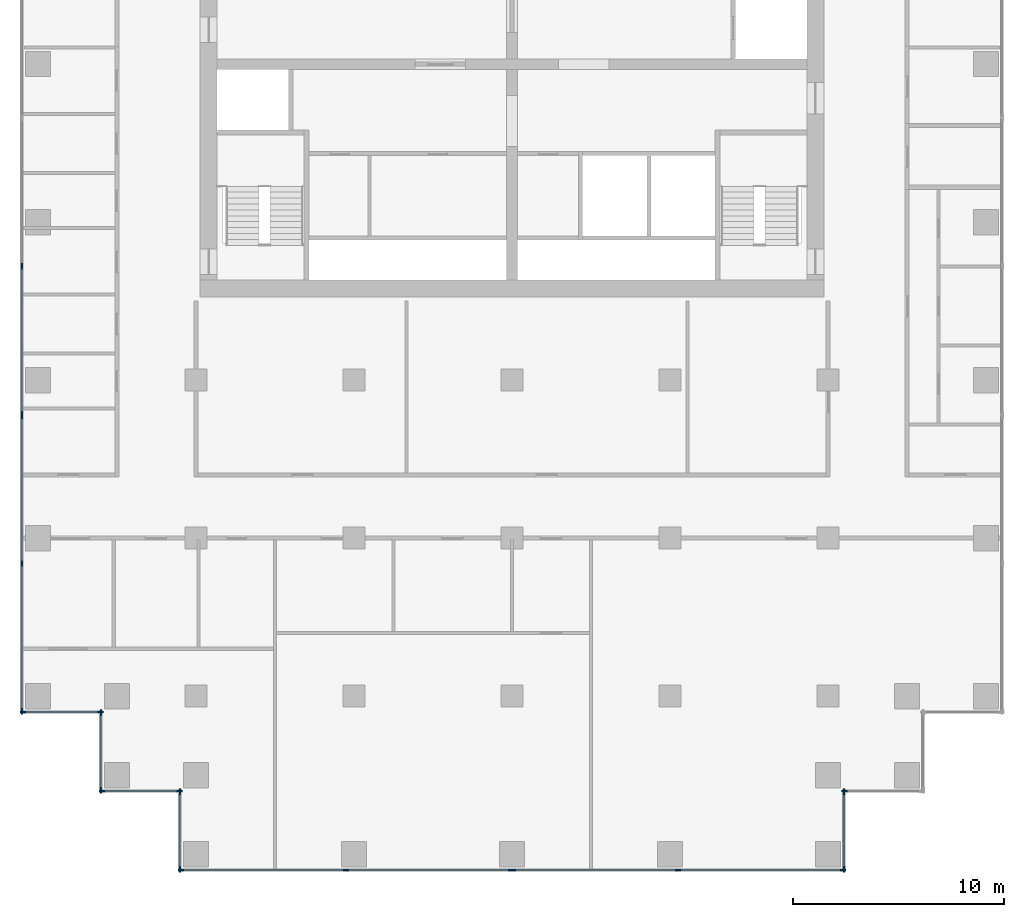
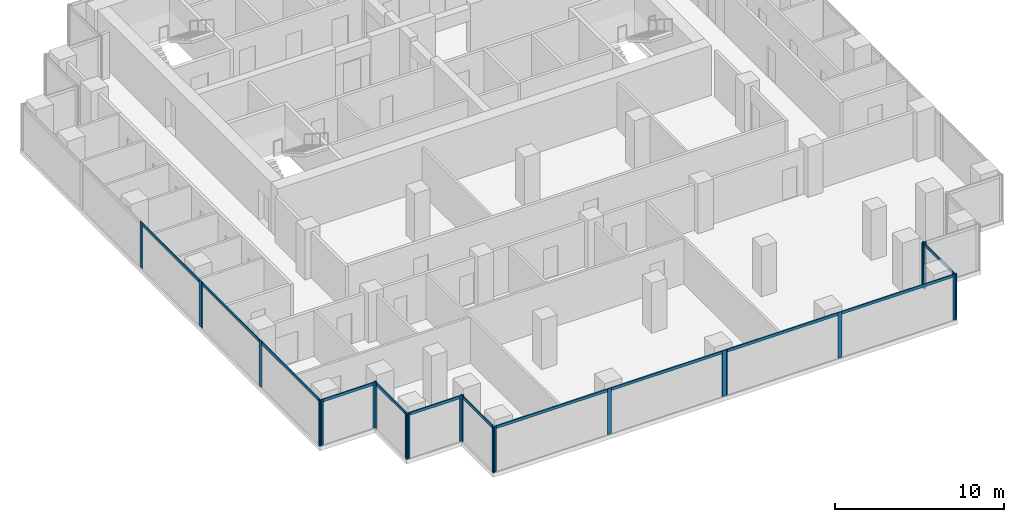
# One storey, part 2 of 10: 34 members, 10 elements without a shape of their own.
"""IFC4 building model written with IfcOpenShell, lengths in metres."""

from ifc_helpers import new_model, si_unit, direction, frame, origin, origin_2d, place, context, subcontext, project, spatial, rectangle, extrude, material, material_profile, profile_set, type_object, element, aggregate, save


model = new_model("IFC4")

# Units and contexts
model_context = context("Model", 3, precision=1e-05, world=origin(), true_north=direction((0.0, 1.0)))
body_context = subcontext(model_context, "Body", "Model", "MODEL_VIEW")
ifc_project = project(units=[si_unit("LENGTHUNIT", "METRE"), si_unit("AREAUNIT", "SQUARE_METRE"), si_unit("VOLUMEUNIT", "CUBIC_METRE"), si_unit("PLANEANGLEUNIT", "RADIAN"), si_unit("MASSUNIT", "GRAM", prefix="KILO")], contexts=[model_context])

# Site, building, storey
site_placement = place(None, origin())
site = spatial("IfcSite", under=ifc_project, at=site_placement, CompositionType="ELEMENT")
building_placement = place(site_placement, origin())
building = spatial("IfcBuilding", under=site, at=building_placement, Name="Pilkhan Gate Tower", CompositionType="ELEMENT")
storey_placement = place(building_placement, frame((0.0, 0.0, 147.699951171875)))
storey = spatial("IfcBuildingStorey", under=building, at=storey_placement, Name="L37", CompositionType="ELEMENT", Elevation=147.699951171875)

# Curtain wall, members
ifc_material_1 = material(Name="Pale anodised aluminium, clear low-iron double glazing", Category="aluminium")
curtain_wall_type = type_object("IfcCurtainWallType", Name="Office unitised curtain wall CW-O1", PredefinedType="USERDEFINED", material=ifc_material_1)
curtain_wall_1_placement = place(storey_placement, origin())
curtain_wall_1 = element("IfcCurtainWall", 1, at=curtain_wall_1_placement, inside=storey, type_object=curtain_wall_type, Name="Office unitised curtain wall CW-O1 L37 W", ObjectType="UNITISED CURTAIN WALL", PredefinedType="USERDEFINED")
ifc_material_2 = material(Name="Pale anodised aluminium", Category="aluminium")
ifc_material_profile_1 = material_profile(ifc_material_2, rectangle(XDim=0.070068359375, YDim=0.27490234375, at=origin_2d()), Name="Mullion 275x70")
ifc_profile_set_1 = profile_set([ifc_material_profile_1], Name="Pale anodised aluminium")
member_type_1 = type_object("IfcMemberType", Name="Mullion CW-O1 275x70", PredefinedType="MULLION", material=ifc_profile_set_1)
member_1_placement = place(storey_placement, frame((51.75, 51.784912109375, 0.0), z_axis=(0.0, 0.0, 1.0), x_axis=(-1.0, 0.0, 0.0)))
member_1 = element("IfcMember", 2, at=member_1_placement, type_object=member_type_1, Name="CW-O1 mullion 1", PredefinedType="MULLION", context=body_context, shape_type="SweptSolid", body=[
    extrude(rectangle(XDim=0.070068359375, YDim=0.27490234375, at=origin_2d()), origin(), (0.0, 0.0, 1.0), 3.300048828125),
])
member_2_placement = place(storey_placement, frame((51.75, 58.800048828125, 0.0), z_axis=(0.0, 0.0, 1.0), x_axis=(-1.0, 0.0, 0.0)))
member_2 = element("IfcMember", 3, at=member_2_placement, type_object=member_type_1, Name="CW-O1 mullion 2", PredefinedType="MULLION", context=body_context, shape_type="SweptSolid", body=[
    extrude(rectangle(XDim=0.070068359375, YDim=0.27490234375, at=origin_2d()), origin(), (0.0, 0.0, 1.0), 3.300048828125),
])
member_3_placement = place(storey_placement, frame((51.75, 65.81494140625, 0.0), z_axis=(0.0, 0.0, 1.0), x_axis=(-1.0, 0.0, 0.0)))
member_3 = element("IfcMember", 4, at=member_3_placement, type_object=member_type_1, Name="CW-O1 mullion 3", PredefinedType="MULLION", context=body_context, shape_type="SweptSolid", body=[
    extrude(rectangle(XDim=0.070068359375, YDim=0.27490234375, at=origin_2d()), origin(), (0.0, 0.0, 1.0), 3.300048828125),
])

curtain_wall_2_placement = place(storey_placement, origin())
curtain_wall_2 = element("IfcCurtainWall", 5, at=curtain_wall_2_placement, inside=storey, type_object=curtain_wall_type, Name="Office unitised curtain wall CW-O1 L37 W", ObjectType="UNITISED CURTAIN WALL", PredefinedType="USERDEFINED")
member_4_placement = place(storey_placement, frame((51.75, 65.885009765625, 0.0), z_axis=(0.0, 0.0, 1.0), x_axis=(-1.0, 0.0, 0.0)))
member_4 = element("IfcMember", 6, at=member_4_placement, type_object=member_type_1, Name="CW-O1 mullion 1", PredefinedType="MULLION", context=body_context, shape_type="SweptSolid", body=[
    extrude(rectangle(XDim=0.070068359375, YDim=0.27490234375, at=origin_2d()), origin(), (0.0, 0.0, 1.0), 3.300048828125),
])
member_5_placement = place(storey_placement, frame((51.75, 72.89990234375, 0.0), z_axis=(0.0, 0.0, 1.0), x_axis=(-1.0, 0.0, 0.0)))
member_5 = element("IfcMember", 7, at=member_5_placement, type_object=member_type_1, Name="CW-O1 mullion 2", PredefinedType="MULLION", context=body_context, shape_type="SweptSolid", body=[
    extrude(rectangle(XDim=0.070068359375, YDim=0.27490234375, at=origin_2d()), origin(), (0.0, 0.0, 1.0), 3.300048828125),
])

curtain_wall_3_placement = place(storey_placement, origin())
curtain_wall_3 = element("IfcCurtainWall", 8, at=curtain_wall_3_placement, inside=storey, type_object=curtain_wall_type, Name="Office unitised curtain wall CW-O1 L37 S", ObjectType="UNITISED CURTAIN WALL", PredefinedType="USERDEFINED")
member_6_placement = place(storey_placement, frame((51.784912109375, 51.75, 0.0), z_axis=(0.0, 0.0, 1.0), x_axis=(0.0, 1.0, 0.0)))
member_6 = element("IfcMember", 9, at=member_6_placement, type_object=member_type_1, Name="CW-O1 mullion 1", PredefinedType="MULLION", context=body_context, shape_type="SweptSolid", body=[
    extrude(rectangle(XDim=0.070068359375, YDim=0.27490234375, at=origin_2d()), origin(), (0.0, 0.0, 1.0), 3.300048828125),
])
member_7_placement = place(storey_placement, frame((55.465087890625, 51.75, 0.0), z_axis=(0.0, 0.0, 1.0), x_axis=(0.0, 1.0, 0.0)))
member_7 = element("IfcMember", 10, at=member_7_placement, type_object=member_type_1, Name="CW-O1 mullion 2", PredefinedType="MULLION", context=body_context, shape_type="SweptSolid", body=[
    extrude(rectangle(XDim=0.070068359375, YDim=0.27490234375, at=origin_2d()), origin(), (0.0, 0.0, 1.0), 3.300048828125),
])

curtain_wall_4_placement = place(storey_placement, origin())
curtain_wall_4 = element("IfcCurtainWall", 11, at=curtain_wall_4_placement, inside=storey, type_object=curtain_wall_type, Name="Office unitised curtain wall CW-O1 L37 W", ObjectType="UNITISED CURTAIN WALL", PredefinedType="USERDEFINED")
member_8_placement = place(storey_placement, frame((55.5, 48.034912109375, 0.0), z_axis=(0.0, 0.0, 1.0), x_axis=(-1.0, 0.0, 0.0)))
member_8 = element("IfcMember", 12, at=member_8_placement, type_object=member_type_1, Name="CW-O1 mullion 1", PredefinedType="MULLION", context=body_context, shape_type="SweptSolid", body=[
    extrude(rectangle(XDim=0.070068359375, YDim=0.27490234375, at=origin_2d()), origin(), (0.0, 0.0, 1.0), 3.300048828125),
])
member_9_placement = place(storey_placement, frame((55.5, 51.715087890625, 0.0), z_axis=(0.0, 0.0, 1.0), x_axis=(-1.0, 0.0, 0.0)))
member_9 = element("IfcMember", 13, at=member_9_placement, type_object=member_type_1, Name="CW-O1 mullion 2", PredefinedType="MULLION", context=body_context, shape_type="SweptSolid", body=[
    extrude(rectangle(XDim=0.070068359375, YDim=0.27490234375, at=origin_2d()), origin(), (0.0, 0.0, 1.0), 3.300048828125),
])

curtain_wall_5_placement = place(storey_placement, origin())
curtain_wall_5 = element("IfcCurtainWall", 14, at=curtain_wall_5_placement, inside=storey, type_object=curtain_wall_type, Name="Office unitised curtain wall CW-O1 L37 S", ObjectType="UNITISED CURTAIN WALL", PredefinedType="USERDEFINED")
member_10_placement = place(storey_placement, frame((55.534912109375, 48.0, 0.0), z_axis=(0.0, 0.0, 1.0), x_axis=(0.0, 1.0, 0.0)))
member_10 = element("IfcMember", 15, at=member_10_placement, type_object=member_type_1, Name="CW-O1 mullion 1", PredefinedType="MULLION", context=body_context, shape_type="SweptSolid", body=[
    extrude(rectangle(XDim=0.070068359375, YDim=0.27490234375, at=origin_2d()), origin(), (0.0, 0.0, 1.0), 3.300048828125),
])
member_11_placement = place(storey_placement, frame((59.215087890625, 48.0, 0.0), z_axis=(0.0, 0.0, 1.0), x_axis=(0.0, 1.0, 0.0)))
member_11 = element("IfcMember", 16, at=member_11_placement, type_object=member_type_1, Name="CW-O1 mullion 2", PredefinedType="MULLION", context=body_context, shape_type="SweptSolid", body=[
    extrude(rectangle(XDim=0.070068359375, YDim=0.27490234375, at=origin_2d()), origin(), (0.0, 0.0, 1.0), 3.300048828125),
])

curtain_wall_6_placement = place(storey_placement, origin())
curtain_wall_6 = element("IfcCurtainWall", 17, at=curtain_wall_6_placement, inside=storey, type_object=curtain_wall_type, Name="Office unitised curtain wall CW-O1 L37 W", ObjectType="UNITISED CURTAIN WALL", PredefinedType="USERDEFINED")
member_12_placement = place(storey_placement, frame((59.25, 44.284912109375, 0.0), z_axis=(0.0, 0.0, 1.0), x_axis=(-1.0, 0.0, 0.0)))
member_12 = element("IfcMember", 18, at=member_12_placement, type_object=member_type_1, Name="CW-O1 mullion 1", PredefinedType="MULLION", context=body_context, shape_type="SweptSolid", body=[
    extrude(rectangle(XDim=0.070068359375, YDim=0.27490234375, at=origin_2d()), origin(), (0.0, 0.0, 1.0), 3.300048828125),
])
member_13_placement = place(storey_placement, frame((59.25, 47.965087890625, 0.0), z_axis=(0.0, 0.0, 1.0), x_axis=(-1.0, 0.0, 0.0)))
member_13 = element("IfcMember", 19, at=member_13_placement, type_object=member_type_1, Name="CW-O1 mullion 2", PredefinedType="MULLION", context=body_context, shape_type="SweptSolid", body=[
    extrude(rectangle(XDim=0.070068359375, YDim=0.27490234375, at=origin_2d()), origin(), (0.0, 0.0, 1.0), 3.300048828125),
])

curtain_wall_7_placement = place(storey_placement, origin())
curtain_wall_7 = element("IfcCurtainWall", 20, at=curtain_wall_7_placement, inside=storey, type_object=curtain_wall_type, Name="Office unitised curtain wall CW-O1 L37 S", ObjectType="UNITISED CURTAIN WALL", PredefinedType="USERDEFINED")
member_14_placement = place(storey_placement, frame((59.284912109375, 44.25, 0.0), z_axis=(0.0, 0.0, 1.0), x_axis=(0.0, 1.0, 0.0)))
member_14 = element("IfcMember", 21, at=member_14_placement, type_object=member_type_1, Name="CW-O1 mullion 1", PredefinedType="MULLION", context=body_context, shape_type="SweptSolid", body=[
    extrude(rectangle(XDim=0.070068359375, YDim=0.27490234375, at=origin_2d()), origin(), (0.0, 0.0, 1.0), 3.300048828125),
])
member_15_placement = place(storey_placement, frame((67.125, 44.25, 0.0), z_axis=(0.0, 0.0, 1.0), x_axis=(0.0, 1.0, 0.0)))
member_15 = element("IfcMember", 22, at=member_15_placement, type_object=member_type_1, Name="CW-O1 mullion 2", PredefinedType="MULLION", context=body_context, shape_type="SweptSolid", body=[
    extrude(rectangle(XDim=0.070068359375, YDim=0.27490234375, at=origin_2d()), origin(), (0.0, 0.0, 1.0), 3.300048828125),
])
member_16_placement = place(storey_placement, frame((74.965087890625, 44.25, 0.0), z_axis=(0.0, 0.0, 1.0), x_axis=(0.0, 1.0, 0.0)))
member_16 = element("IfcMember", 23, at=member_16_placement, type_object=member_type_1, Name="CW-O1 mullion 3", PredefinedType="MULLION", context=body_context, shape_type="SweptSolid", body=[
    extrude(rectangle(XDim=0.070068359375, YDim=0.27490234375, at=origin_2d()), origin(), (0.0, 0.0, 1.0), 3.300048828125),
])

curtain_wall_8_placement = place(storey_placement, origin())
curtain_wall_8 = element("IfcCurtainWall", 24, at=curtain_wall_8_placement, inside=storey, type_object=curtain_wall_type, Name="Office unitised curtain wall CW-O1 L37 S", ObjectType="UNITISED CURTAIN WALL", PredefinedType="USERDEFINED")
member_17_placement = place(storey_placement, frame((75.034912109375, 44.25, 0.0), z_axis=(0.0, 0.0, 1.0), x_axis=(0.0, 1.0, 0.0)))
member_17 = element("IfcMember", 25, at=member_17_placement, type_object=member_type_1, Name="CW-O1 mullion 1", PredefinedType="MULLION", context=body_context, shape_type="SweptSolid", body=[
    extrude(rectangle(XDim=0.070068359375, YDim=0.27490234375, at=origin_2d()), origin(), (0.0, 0.0, 1.0), 3.300048828125),
])
member_18_placement = place(storey_placement, frame((82.875, 44.25, 0.0), z_axis=(0.0, 0.0, 1.0), x_axis=(0.0, 1.0, 0.0)))
member_18 = element("IfcMember", 26, at=member_18_placement, type_object=member_type_1, Name="CW-O1 mullion 2", PredefinedType="MULLION", context=body_context, shape_type="SweptSolid", body=[
    extrude(rectangle(XDim=0.070068359375, YDim=0.27490234375, at=origin_2d()), origin(), (0.0, 0.0, 1.0), 3.300048828125),
])
member_19_placement = place(storey_placement, frame((90.715087890625, 44.25, 0.0), z_axis=(0.0, 0.0, 1.0), x_axis=(0.0, 1.0, 0.0)))
member_19 = element("IfcMember", 27, at=member_19_placement, type_object=member_type_1, Name="CW-O1 mullion 3", PredefinedType="MULLION", context=body_context, shape_type="SweptSolid", body=[
    extrude(rectangle(XDim=0.070068359375, YDim=0.27490234375, at=origin_2d()), origin(), (0.0, 0.0, 1.0), 3.300048828125),
])

curtain_wall_9_placement = place(storey_placement, origin())
curtain_wall_9 = element("IfcCurtainWall", 28, at=curtain_wall_9_placement, inside=storey, type_object=curtain_wall_type, Name="Office unitised curtain wall CW-O1 L37 E", ObjectType="UNITISED CURTAIN WALL", PredefinedType="USERDEFINED")
member_20_placement = place(storey_placement, frame((90.75, 44.284912109375, 0.0), z_axis=(0.0, 0.0, 1.0), x_axis=(-1.0, 0.0, 0.0)))
member_20 = element("IfcMember", 29, at=member_20_placement, type_object=member_type_1, Name="CW-O1 mullion 1", PredefinedType="MULLION", context=body_context, shape_type="SweptSolid", body=[
    extrude(rectangle(XDim=0.070068359375, YDim=0.27490234375, at=origin_2d()), origin(), (0.0, 0.0, 1.0), 3.300048828125),
])
member_21_placement = place(storey_placement, frame((90.75, 47.965087890625, 0.0), z_axis=(0.0, 0.0, 1.0), x_axis=(-1.0, 0.0, 0.0)))
member_21 = element("IfcMember", 30, at=member_21_placement, type_object=member_type_1, Name="CW-O1 mullion 2", PredefinedType="MULLION", context=body_context, shape_type="SweptSolid", body=[
    extrude(rectangle(XDim=0.070068359375, YDim=0.27490234375, at=origin_2d()), origin(), (0.0, 0.0, 1.0), 3.300048828125),
])

# Curtain wall, member
curtain_wall_10_placement = place(storey_placement, origin())
curtain_wall_10 = element("IfcCurtainWall", 31, at=curtain_wall_10_placement, inside=storey, type_object=curtain_wall_type, Name="Office unitised curtain wall CW-O1 L37 S", ObjectType="UNITISED CURTAIN WALL", PredefinedType="USERDEFINED")
member_22_placement = place(storey_placement, frame((90.784912109375, 48.0, 0.0), z_axis=(0.0, 0.0, 1.0), x_axis=(0.0, 1.0, 0.0)))
member_22 = element("IfcMember", 32, at=member_22_placement, type_object=member_type_1, Name="CW-O1 mullion 1", PredefinedType="MULLION", context=body_context, shape_type="SweptSolid", body=[
    extrude(rectangle(XDim=0.070068359375, YDim=0.27490234375, at=origin_2d()), origin(), (0.0, 0.0, 1.0), 3.300048828125),
])
aggregate(curtain_wall_10, [member_22])

# Member
ifc_material_profile_2 = material_profile(ifc_material_2, rectangle(XDim=0.070068359375, YDim=0.199951171875, at=origin_2d()), Name="Transom 200x70")
ifc_profile_set_2 = profile_set([ifc_material_profile_2], Name="Pale anodised aluminium")
member_type_2 = type_object("IfcMemberType", Name="Transom CW-O1 200x70", PredefinedType="USERDEFINED", material=ifc_profile_set_2)
member_23_placement = place(storey_placement, frame((51.75, 51.820068359375, 3.199951171875), z_axis=(0.0, 1.0, 0.0), x_axis=(-1.0, 0.0, 0.0)))
member_23 = element("IfcMember", 33, at=member_23_placement, type_object=member_type_2, Name="CW-O1 transom 1", ObjectType="TRANSOM", PredefinedType="USERDEFINED", context=body_context, shape_type="SweptSolid", body=[
    extrude(rectangle(XDim=0.070068359375, YDim=0.199951171875, at=origin_2d()), origin(), (0.0, 0.0, 1.0), 6.94482421875),
])

member_24_placement = place(storey_placement, frame((51.75, 58.8349609375, 3.199951171875), z_axis=(0.0, 1.0, 0.0), x_axis=(-1.0, 0.0, 0.0)))
member_24 = element("IfcMember", 34, at=member_24_placement, type_object=member_type_2, Name="CW-O1 transom 2", ObjectType="TRANSOM", PredefinedType="USERDEFINED", context=body_context, shape_type="SweptSolid", body=[
    extrude(rectangle(XDim=0.070068359375, YDim=0.199951171875, at=origin_2d()), origin(), (0.0, 0.0, 1.0), 6.945068359375),
])

aggregate(curtain_wall_1, [member_1, member_2, member_3, member_23, member_24])

member_25_placement = place(storey_placement, frame((51.75, 65.919921875, 3.199951171875), z_axis=(0.0, 1.0, 0.0), x_axis=(-1.0, 0.0, 0.0)))
member_25 = element("IfcMember", 35, at=member_25_placement, type_object=member_type_2, Name="CW-O1 transom 1", ObjectType="TRANSOM", PredefinedType="USERDEFINED", context=body_context, shape_type="SweptSolid", body=[
    extrude(rectangle(XDim=0.070068359375, YDim=0.199951171875, at=origin_2d()), origin(), (0.0, 0.0, 1.0), 6.945068359375),
])

aggregate(curtain_wall_2, [member_4, member_5, member_25])

member_26_placement = place(storey_placement, frame((51.820068359375, 51.75, 3.199951171875), z_axis=(1.0, 0.0, 0.0), x_axis=(0.0, 1.0, 0.0)))
member_26 = element("IfcMember", 36, at=member_26_placement, type_object=member_type_2, Name="CW-O1 transom 1", ObjectType="TRANSOM", PredefinedType="USERDEFINED", context=body_context, shape_type="SweptSolid", body=[
    extrude(rectangle(XDim=0.070068359375, YDim=0.199951171875, at=origin_2d()), origin(), (0.0, 0.0, 1.0), 3.60986328125),
])

aggregate(curtain_wall_3, [member_6, member_7, member_26])

member_27_placement = place(storey_placement, frame((55.5, 48.070068359375, 3.199951171875), z_axis=(0.0, 1.0, 0.0), x_axis=(-1.0, 0.0, 0.0)))
member_27 = element("IfcMember", 37, at=member_27_placement, type_object=member_type_2, Name="CW-O1 transom 1", ObjectType="TRANSOM", PredefinedType="USERDEFINED", context=body_context, shape_type="SweptSolid", body=[
    extrude(rectangle(XDim=0.070068359375, YDim=0.199951171875, at=origin_2d()), origin(), (0.0, 0.0, 1.0), 3.60986328125),
])

aggregate(curtain_wall_4, [member_8, member_9, member_27])

member_28_placement = place(storey_placement, frame((55.570068359375, 48.0, 3.199951171875), z_axis=(1.0, 0.0, 0.0), x_axis=(0.0, 1.0, 0.0)))
member_28 = element("IfcMember", 38, at=member_28_placement, type_object=member_type_2, Name="CW-O1 transom 1", ObjectType="TRANSOM", PredefinedType="USERDEFINED", context=body_context, shape_type="SweptSolid", body=[
    extrude(rectangle(XDim=0.070068359375, YDim=0.199951171875, at=origin_2d()), origin(), (0.0, 0.0, 1.0), 3.60986328125),
])

aggregate(curtain_wall_5, [member_10, member_11, member_28])

member_29_placement = place(storey_placement, frame((59.25, 44.320068359375, 3.199951171875), z_axis=(0.0, 1.0, 0.0), x_axis=(-1.0, 0.0, 0.0)))
member_29 = element("IfcMember", 39, at=member_29_placement, type_object=member_type_2, Name="CW-O1 transom 1", ObjectType="TRANSOM", PredefinedType="USERDEFINED", context=body_context, shape_type="SweptSolid", body=[
    extrude(rectangle(XDim=0.070068359375, YDim=0.199951171875, at=origin_2d()), origin(), (0.0, 0.0, 1.0), 3.60986328125),
])

aggregate(curtain_wall_6, [member_12, member_13, member_29])

member_30_placement = place(storey_placement, frame((59.320068359375, 44.25, 3.199951171875), z_axis=(1.0, 0.0, 0.0), x_axis=(0.0, 1.0, 0.0)))
member_30 = element("IfcMember", 40, at=member_30_placement, type_object=member_type_2, Name="CW-O1 transom 1", ObjectType="TRANSOM", PredefinedType="USERDEFINED", context=body_context, shape_type="SweptSolid", body=[
    extrude(rectangle(XDim=0.070068359375, YDim=0.199951171875, at=origin_2d()), origin(), (0.0, 0.0, 1.0), 7.77001953125),
])

member_31_placement = place(storey_placement, frame((67.159912109375, 44.25, 3.199951171875), z_axis=(1.0, 0.0, 0.0), x_axis=(0.0, 1.0, 0.0)))
member_31 = element("IfcMember", 41, at=member_31_placement, type_object=member_type_2, Name="CW-O1 transom 2", ObjectType="TRANSOM", PredefinedType="USERDEFINED", context=body_context, shape_type="SweptSolid", body=[
    extrude(rectangle(XDim=0.070068359375, YDim=0.199951171875, at=origin_2d()), origin(), (0.0, 0.0, 1.0), 7.77001953125),
])

aggregate(curtain_wall_7, [member_14, member_15, member_16, member_30, member_31])

member_32_placement = place(storey_placement, frame((75.070068359375, 44.25, 3.199951171875), z_axis=(1.0, 0.0, 0.0), x_axis=(0.0, 1.0, 0.0)))
member_32 = element("IfcMember", 42, at=member_32_placement, type_object=member_type_2, Name="CW-O1 transom 1", ObjectType="TRANSOM", PredefinedType="USERDEFINED", context=body_context, shape_type="SweptSolid", body=[
    extrude(rectangle(XDim=0.070068359375, YDim=0.199951171875, at=origin_2d()), origin(), (0.0, 0.0, 1.0), 7.77001953125),
])

member_33_placement = place(storey_placement, frame((82.909912109375, 44.25, 3.199951171875), z_axis=(1.0, 0.0, 0.0), x_axis=(0.0, 1.0, 0.0)))
member_33 = element("IfcMember", 43, at=member_33_placement, type_object=member_type_2, Name="CW-O1 transom 2", ObjectType="TRANSOM", PredefinedType="USERDEFINED", context=body_context, shape_type="SweptSolid", body=[
    extrude(rectangle(XDim=0.070068359375, YDim=0.199951171875, at=origin_2d()), origin(), (0.0, 0.0, 1.0), 7.77001953125),
])

aggregate(curtain_wall_8, [member_17, member_18, member_19, member_32, member_33])

member_34_placement = place(storey_placement, frame((90.75, 44.320068359375, 3.199951171875), z_axis=(0.0, 1.0, 0.0), x_axis=(-1.0, 0.0, 0.0)))
member_34 = element("IfcMember", 44, at=member_34_placement, type_object=member_type_2, Name="CW-O1 transom 1", ObjectType="TRANSOM", PredefinedType="USERDEFINED", context=body_context, shape_type="SweptSolid", body=[
    extrude(rectangle(XDim=0.070068359375, YDim=0.199951171875, at=origin_2d()), origin(), (0.0, 0.0, 1.0), 3.60986328125),
])

aggregate(curtain_wall_9, [member_20, member_21, member_34])

save(model, "model.ifc")
